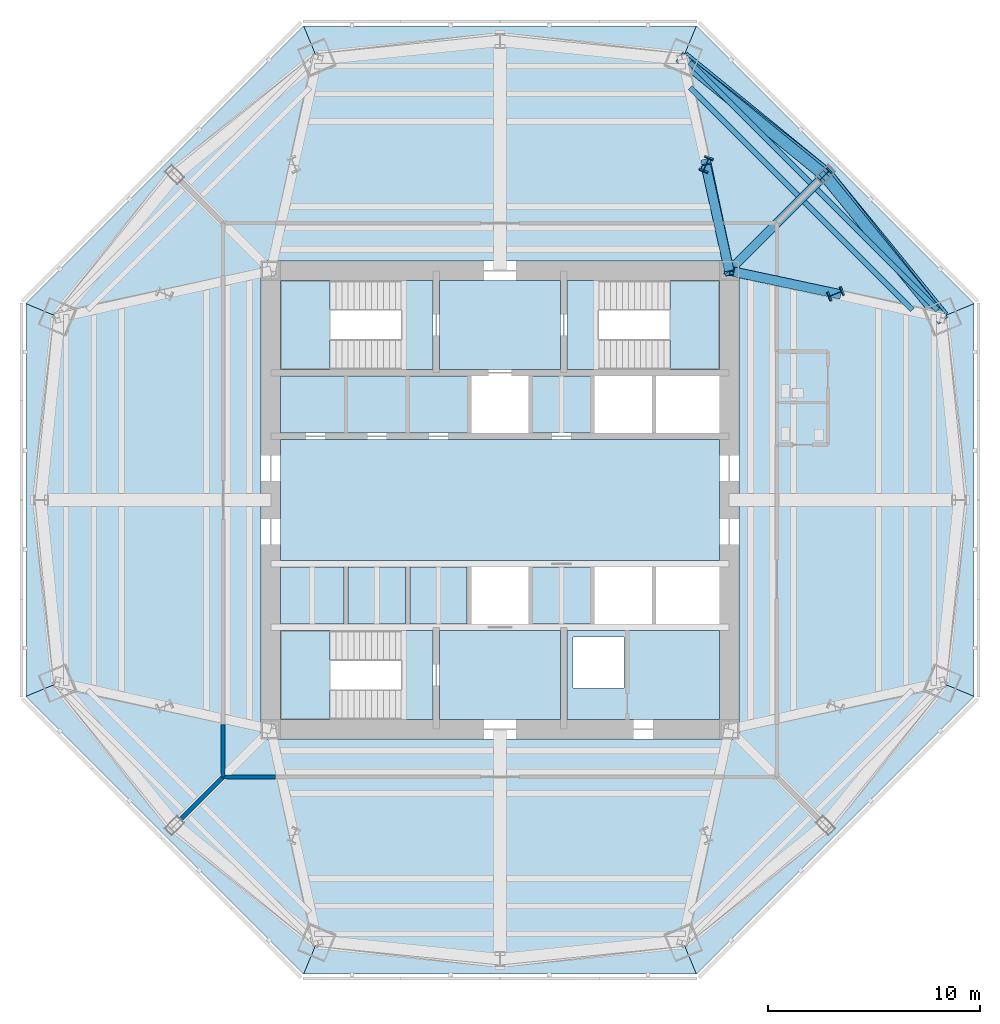
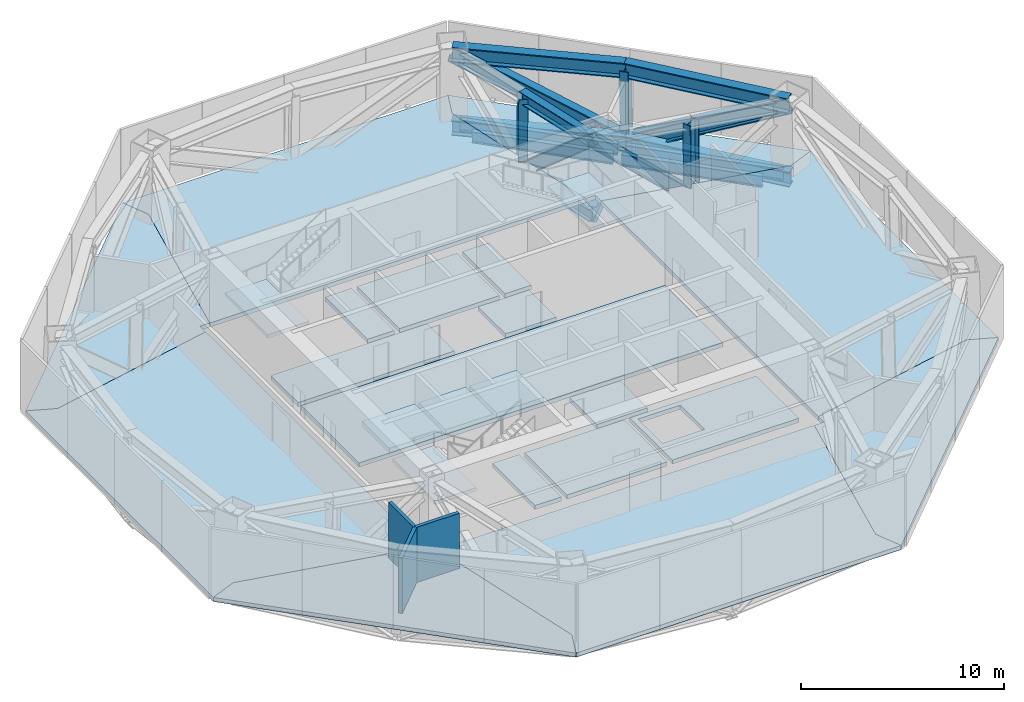
# One storey, part 4 of 10: 24 slabs, 13 members, 5 beams, 3 walls, 3 elements without a shape of their own.
"""IFC4 building model written with IfcOpenShell, lengths in metres."""

import ifcopenshell
import ifcopenshell.guid

model = None  # the IFC model being written
_history = None  # IfcOwnerHistory: only IFC2X3 demands one
_inside = {}  # id of a spatial element -> (the spatial element, [elements in it])
_under = {}  # id of a project, library or spatial element -> (it, [spatial elements below it])
_declared = {}  # id of a project -> (the project, [libraries it declares])
_typed = {}  # id of a type object -> (the type object, [elements of that type])
_made_of = {}  # id of a material, layer set ... -> (it, [elements and type objects made of it])


def new_model(schema):
    """Start an empty IFC model of exactly this schema.

    Asked for "IFC4X3", IfcOpenShell would pick the latest addendum, in which some entities
    have other attributes; the version numbers below select the first issue.
    IFC2X3 requires an IfcOwnerHistory on every rooted entity: one is made here for all.
    """
    global model, _history
    if schema == "IFC4X3":
        model = ifcopenshell.file(schema_version=(4, 3, 0, 0))
    else:
        model = ifcopenshell.file(schema=schema)
    _inside.clear()
    _under.clear()
    _declared.clear()
    _typed.clear()
    _made_of.clear()
    _history = None
    if model.schema == "IFC2X3":
        org = make("IfcOrganization", Name="unknown")
        user = make(
            "IfcPersonAndOrganization",
            ThePerson=make("IfcPerson", FamilyName="unknown"),
            TheOrganization=org,
        )
        app = make(
            "IfcApplication",
            ApplicationDeveloper=org,
            Version="unknown",
            ApplicationFullName="unknown",
            ApplicationIdentifier="unknown",
        )
        _history = make(
            "IfcOwnerHistory",
            OwningUser=user,
            OwningApplication=app,
            ChangeAction="ADDED",
            CreationDate=0,
        )
    return model


def make(cls, **values):
    """One entity of the class cls with the attributes given. An attribute that is None is left unset."""
    return model.create_entity(
        cls, **{name: value for name, value in values.items() if value is not None}
    )


def rooted(cls, **values):
    """An entity with a GlobalId (a new one), such as an element, a storey or a relation."""
    return make(cls, GlobalId=ifcopenshell.guid.new(), OwnerHistory=_history, **values)


def si_unit(unit_type, name, prefix=None):
    """IfcSIUnit, for example si_unit("LENGTHUNIT", "METRE", prefix="MILLI")."""
    return make("IfcSIUnit", UnitType=unit_type, Prefix=prefix, Name=name)


def assignment(units):
    """IfcUnitAssignment: the units of a project."""
    return None if units is None else make("IfcUnitAssignment", Units=units)


def point(xyz):
    """IfcCartesianPoint."""
    return None if xyz is None else make("IfcCartesianPoint", Coordinates=xyz)


def direction(xyz):
    """IfcDirection."""
    return None if xyz is None else make("IfcDirection", DirectionRatios=xyz)


def frame(location, z_axis=None, x_axis=None):
    """IfcAxis2Placement3D, a coordinate frame: its origin and axes. An axis left out is left unset."""
    return make(
        "IfcAxis2Placement3D",
        Location=point(location),
        Axis=direction(z_axis),
        RefDirection=direction(x_axis),
    )


def frame_2d(location, x_axis=None):
    """IfcAxis2Placement2D, a coordinate frame in the plane: its origin and x axis."""
    return make(
        "IfcAxis2Placement2D", Location=point(location), RefDirection=direction(x_axis)
    )


def origin():
    """The frame at (0, 0, 0) with its axes left unset."""
    return frame((0.0, 0.0, 0.0))


def origin_2d():
    """The frame at (0, 0) in the plane with its x axis left unset."""
    return frame_2d((0.0, 0.0))


def place(relative_to, where):
    """IfcLocalPlacement: puts the frame where relative to a parent placement (None: the world)."""
    return make(
        "IfcLocalPlacement", PlacementRelTo=relative_to, RelativePlacement=where
    )


def context(
    kind, dimensions, precision=None, world=None, true_north=None, identifier=None
):
    """IfcGeometricRepresentationContext, for example the 3D "Model" context."""
    return make(
        "IfcGeometricRepresentationContext",
        ContextIdentifier=identifier,
        ContextType=kind,
        CoordinateSpaceDimension=dimensions,
        Precision=precision,
        WorldCoordinateSystem=world,
        TrueNorth=true_north,
    )


def subcontext(parent, identifier, kind, view, scale=None):
    """IfcGeometricRepresentationSubContext, for example "Body" below "Model"."""
    return make(
        "IfcGeometricRepresentationSubContext",
        ContextIdentifier=identifier,
        ContextType=kind,
        ParentContext=parent,
        TargetScale=scale,
        TargetView=view,
    )


def project(units=None, contexts=None):
    """IfcProject with its units and contexts."""
    return rooted(
        "IfcProject",
        Name="project",
        RepresentationContexts=contexts,
        UnitsInContext=assignment(units),
    )


def spatial(cls, under=None, at=None, **own):
    """A site, building, storey or space (cls), placed at a placement, below another one or the project."""
    s = rooted(cls, ObjectPlacement=at, **own)
    if under is not None:
        _under.setdefault(under.id(), (under, []))[1].append(s)
    return s


def polyline(points):
    """IfcPolyline through the points."""
    return make("IfcPolyline", Points=[point(p) for p in points])


def profile(cls, at=None, kind="AREA", **sizes):
    """A parametric profile (cls). Its sizes go by their IFC names, for example OverallWidth=200.0."""
    return make(cls, ProfileType=kind, Position=at, **sizes)


def rectangle(**sizes):
    """IfcRectangleProfileDef."""
    return profile("IfcRectangleProfileDef", **sizes)


def i_section(**sizes):
    """IfcIShapeProfileDef."""
    return profile("IfcIShapeProfileDef", **sizes)


def outline(outer, holes=None, kind="AREA"):
    """IfcArbitraryClosedProfileDef: a profile drawn as a closed curve; with holes, ...WithVoids."""
    if holes is None:
        return make("IfcArbitraryClosedProfileDef", ProfileType=kind, OuterCurve=outer)
    return make(
        "IfcArbitraryProfileDefWithVoids",
        ProfileType=kind,
        OuterCurve=outer,
        InnerCurves=holes,
    )


def extrude(swept, where, along, depth):
    """IfcExtrudedAreaSolid: the profile swept, set in the frame where, extruded along a direction by depth."""
    return make(
        "IfcExtrudedAreaSolid",
        SweptArea=swept,
        Position=where,
        ExtrudedDirection=direction(along),
        Depth=depth,
    )


def shape(context_of_items, identifier, shape_type, items):
    """IfcShapeRepresentation: the items that make up one representation, for example the "Body"."""
    return make(
        "IfcShapeRepresentation",
        ContextOfItems=context_of_items,
        RepresentationIdentifier=identifier,
        RepresentationType=shape_type,
        Items=items,
    )


def source(mapping_origin, context_of_items, identifier, shape_type, items):
    """IfcRepresentationMap: a shape defined once, which mapped items show again and again."""
    return make(
        "IfcRepresentationMap",
        MappingOrigin=mapping_origin,
        MappedRepresentation=shape(context_of_items, identifier, shape_type, items),
    )


def transform(
    local_origin,
    x_axis=None,
    y_axis=None,
    z_axis=None,
    scale=None,
    scale2=None,
    scale3=None,
    uniform=True,
):
    """IfcCartesianTransformationOperator3D, or its non-uniform kind. x_axis, y_axis, z_axis: its Axis1, 2, 3."""
    if uniform:
        return make(
            "IfcCartesianTransformationOperator3D",
            Axis1=direction(x_axis),
            Axis2=direction(y_axis),
            LocalOrigin=point(local_origin),
            Scale=scale,
            Axis3=direction(z_axis),
        )
    return make(
        "IfcCartesianTransformationOperator3DnonUniform",
        Axis1=direction(x_axis),
        Axis2=direction(y_axis),
        LocalOrigin=point(local_origin),
        Scale=scale,
        Axis3=direction(z_axis),
        Scale2=scale2,
        Scale3=scale3,
    )


def mapped(mapping_source, mapping_target):
    """IfcMappedItem: shows the shape of a source again, moved by a transform."""
    return make(
        "IfcMappedItem", MappingSource=mapping_source, MappingTarget=mapping_target
    )


def material(Name=None, Category=None):
    """IfcMaterial."""
    return make("IfcMaterial", Name=Name, Category=Category)


def layer(
    of_material, thickness, ventilated=None, Name=None, Category=None, Priority=None
):
    """IfcMaterialLayer: one layer of a wall or slab, of a material (None: an air gap)."""
    return make(
        "IfcMaterialLayer",
        Material=of_material,
        LayerThickness=thickness,
        IsVentilated=ventilated,
        Name=Name,
        Category=Category,
        Priority=Priority,
    )


def layer_set(layers, Name=None):
    """IfcMaterialLayerSet."""
    return make("IfcMaterialLayerSet", MaterialLayers=layers, LayerSetName=Name)


def material_profile(
    of_material, cross_section, Name=None, Category=None, Priority=None
):
    """IfcMaterialProfile: a cross section and its material."""
    return make(
        "IfcMaterialProfile",
        Name=Name,
        Material=of_material,
        Profile=cross_section,
        Priority=Priority,
        Category=Category,
    )


def profile_set(profiles, Name=None, composite=None):
    """IfcMaterialProfileSet."""
    return make(
        "IfcMaterialProfileSet",
        Name=Name,
        MaterialProfiles=profiles,
        CompositeProfile=composite,
    )


def made_of(thing, what):
    """Note that an element or type object is made of a material, layer set ...; save() writes the relation."""
    if what is not None:
        _made_of.setdefault(what.id(), (what, []))[1].append(thing)
    return thing


def type_object(cls, material=None, **own):
    """A type object (cls), such as IfcWallType, which elements share."""
    return made_of(rooted(cls, **own), material)


def type_shapes(of_type, sources):
    """Give a type object the sources (RepresentationMaps) that its elements show as mapped items."""
    of_type.RepresentationMaps = sources


def element(
    cls,
    number,
    at=None,
    inside=None,
    cuts=None,
    type_object=None,
    material=None,
    context=None,
    identifier="Body",
    shape_type=None,
    held_by="IfcProductDefinitionShape",
    body=None,
    shapes=None,
    **own,
):
    """One element of the class cls, such as IfcWall. Its Tag is "e" and its number.

    at: its placement. inside: the storey or other place that contains it. cuts: it is an
    opening in that element (IfcRelVoidsElement). A single representation is given by context,
    identifier, shape_type and body (its items); several are given by shapes. held_by: the class
    of the entity that holds the representations. save() writes the other relations.
    """
    e = rooted(cls, Tag="e%d" % number, ObjectPlacement=at, **own)
    if body is not None:
        shapes = [shape(context, identifier, shape_type, body)]
    if shapes is not None:
        e.Representation = make(held_by, Representations=shapes)
    if inside is not None:
        _inside.setdefault(inside.id(), (inside, []))[1].append(e)
    if cuts is not None:
        rooted(
            "IfcRelVoidsElement", RelatingBuildingElement=cuts, RelatedOpeningElement=e
        )
    if type_object is not None:
        _typed.setdefault(type_object.id(), (type_object, []))[1].append(e)
    return made_of(e, material)


def aggregate(whole, parts):
    """IfcRelAggregates: a whole, such as a stair, and the parts it consists of."""
    return rooted("IfcRelAggregates", RelatingObject=whole, RelatedObjects=parts)


def save(model, path):
    """Write the relations noted so far, then the file.

    IfcRelAggregates (storeys below a building ...), IfcRelContainedInSpatialStructure (elements
    in a storey), IfcRelDefinesByType, IfcRelAssociatesMaterial and IfcRelDeclares: one each for
    every whole, place, type object, material and project.
    """
    for whole, parts in _under.values():
        aggregate(whole, parts)
    for where, things in _inside.values():
        rooted(
            "IfcRelContainedInSpatialStructure",
            RelatedElements=things,
            RelatingStructure=where,
        )
    for kind, things in _typed.values():
        rooted("IfcRelDefinesByType", RelatedObjects=things, RelatingType=kind)
    for what, things in _made_of.values():
        rooted("IfcRelAssociatesMaterial", RelatedObjects=things, RelatingMaterial=what)
    for by, libraries in _declared.values():
        rooted("IfcRelDeclares", RelatingContext=by, RelatedDefinitions=libraries)
    model.write(path)


model = new_model("IFC4")

# Units and contexts
model_context = context("Model", 3, precision=1e-05, world=origin(), true_north=direction((0.0, 1.0)))
body_context = subcontext(model_context, "Body", "Model", "MODEL_VIEW")
ifc_project = project(units=[si_unit("LENGTHUNIT", "METRE"), si_unit("AREAUNIT", "SQUARE_METRE"), si_unit("VOLUMEUNIT", "CUBIC_METRE"), si_unit("PLANEANGLEUNIT", "RADIAN"), si_unit("MASSUNIT", "GRAM", prefix="KILO")], contexts=[model_context])

# Site, building, storey
site_placement = place(None, origin())
site = spatial("IfcSite", under=ifc_project, at=site_placement, CompositionType="ELEMENT")
building_placement = place(site_placement, origin())
building = spatial("IfcBuilding", under=site, at=building_placement, Name="Mashrafa Tower", CompositionType="ELEMENT")
storey_placement = place(building_placement, frame((0.0, 0.0, 193.5)))
storey = spatial("IfcBuildingStorey", under=building, at=storey_placement, Name="L44", CompositionType="ELEMENT", Elevation=193.5)

# Beams
ifc_material_1 = material(Name="Steel ASTM A992", Category="steel")
ifc_material_profile_1 = material_profile(ifc_material_1, i_section(OverallWidth=0.256591796875, OverallDepth=0.693359375, WebThickness=0.014404296875, FlangeThickness=0.023681640625, FilletRadius=0.01513671875, at=origin_2d()), Name="W27X114")
ifc_profile_set_1 = profile_set([ifc_material_profile_1], Name="Steel ASTM A992")
beam_type_1 = type_object("IfcBeamType", Name="Beam W27X114", PredefinedType="BEAM", material=ifc_profile_set_1)
for number, where, z_axis, x_axis, name in (
    (1, (8.953125, 20.617919921875, -0.5966796875), (0.707121966394, -0.707091595653, 0.0), (0.707091595653, 0.707121966394, 0.0), "Floor beam L44 041"),
    (2, (14.933837890625, 14.637451171875, -0.5966796875), (0.707091595653, -0.707121966394, 0.0), (0.707121966394, 0.707091595653, 0.0), "Floor beam L44 056"),
):
    element("IfcBeam", number, at=place(storey_placement, frame(where, z_axis=z_axis, x_axis=x_axis)), inside=storey, type_object=beam_type_1, Name=name, PredefinedType="BEAM", context=body_context, shape_type="SweptSolid", body=[
        extrude(i_section(OverallWidth=0.256591796875, OverallDepth=0.693359375, WebThickness=0.014404296875, FlangeThickness=0.023681640625, FilletRadius=0.01513671875, at=origin_2d()), origin(), (0.0, 0.0, 1.0), 8.03857421875),
    ])
ifc_material_2 = material(Name="Steel ASTM A992", Category="steel")
ifc_material_profile_2 = material_profile(ifc_material_2, i_section(OverallWidth=0.25390625, OverallDepth=0.683349609375, WebThickness=0.012451171875, FlangeThickness=0.01904296875, FilletRadius=0.01513671875, at=origin_2d()), Name="W27X94")
ifc_profile_set_2 = profile_set([ifc_material_profile_2], Name="Steel ASTM A992")
beam_type_2 = type_object("IfcBeamType", Name="Beam W27X94", PredefinedType="BEAM", material=ifc_profile_set_2)
for number, where, z_axis, x_axis, name in (
    (3, (8.95166015625, 19.434326171875, -0.591552734375), (0.707123728633, -0.707089833334, 0.0), (0.707089833334, 0.707123728633, 0.0), "Floor beam L44 040"),
    (4, (14.34130859375, 14.044921875, -0.591552734375), (0.707089833334, -0.707123728633, 0.0), (0.707123728633, 0.707089833334, 0.0), "Floor beam L44 054"),
):
    element("IfcBeam", number, at=place(storey_placement, frame(where, z_axis=z_axis, x_axis=x_axis)), inside=storey, type_object=beam_type_2, Name=name, PredefinedType="BEAM", context=body_context, shape_type="SweptSolid", body=[
        extrude(i_section(OverallWidth=0.25390625, OverallDepth=0.683349609375, WebThickness=0.012451171875, FlangeThickness=0.01904296875, FilletRadius=0.01513671875, at=origin_2d()), origin(), (0.0, 0.0, 1.0), 7.202880859375),
    ])
ifc_material_3 = material(Name="Steel ASTM A992", Category="steel")
ifc_material_profile_3 = material_profile(ifc_material_3, i_section(OverallWidth=0.419189453125, OverallDepth=0.927001953125, WebThickness=0.019287109375, FlangeThickness=0.031982421875, FilletRadius=0.020263671875, at=origin_2d()), Name="W36X231")
ifc_profile_set_3 = profile_set([ifc_material_profile_3], Name="Steel ASTM A992")
beam_type_3 = type_object("IfcBeamType", Name="Beam W36X231", PredefinedType="BEAM", material=ifc_profile_set_3)
beam_placement = place(storey_placement, frame((10.800048828125, 10.800048828125, -0.713623046875), z_axis=(0.707106781187, 0.707106781187, 0.0), x_axis=(-0.707106781187, 0.707106781187, 0.0)))
element("IfcBeam", 5, at=beam_placement, inside=storey, type_object=beam_type_3, Name="Radial girder L44 072", PredefinedType="BEAM", context=body_context, shape_type="SweptSolid", body=[
    extrude(i_section(OverallWidth=0.419189453125, OverallDepth=0.927001953125, WebThickness=0.019287109375, FlangeThickness=0.031982421875, FilletRadius=0.020263671875, at=origin_2d()), origin(), (0.0, 0.0, 1.0), 6.474365234375),
])

# Members
ifc_material_4 = material(Name="Steel ASTM A572 Gr 50", Category="steel")
ifc_material_profile_4 = material_profile(ifc_material_4, i_section(OverallWidth=0.449951171875, OverallDepth=0.699951171875, WebThickness=0.028076171875, FlangeThickness=0.044921875, at=origin_2d()), Name="H700X450X28X45")
ifc_profile_set_4 = profile_set([ifc_material_profile_4], Name="Steel ASTM A572 Gr 50")
member_type_1 = type_object("IfcMemberType", Name="Outrigger post H700X450X28X45", PredefinedType="POST", material=ifc_profile_set_4)
shared_shape_1 = source(origin(), body_context, "Body", "SweptSolid", [
    extrude(i_section(OverallWidth=0.449951171875, OverallDepth=0.699951171875, WebThickness=0.028076171875, FlangeThickness=0.044921875, at=origin_2d()), origin(), (0.0, 0.0, 1.0), 4.50048828125),
])
type_shapes(member_type_1, [shared_shape_1])
for number, where, z_axis, x_axis, name in (
    (6, (15.84130859375, 9.724853515625, -0.699951171875), (-0.014158493841, -0.005858687107, 0.999882599527), (0.382351792726, -0.924016832422, 0.0), "Outrigger post MC1 L44"),
    (7, (9.724853515625, 15.84130859375, -0.699951171875), (-0.005858687107, -0.014158493841, 0.999882599527), (0.924016832422, -0.382351792726, 0.0), "Outrigger post MC2 L44"),
):
    element("IfcMember", number, at=place(storey_placement, frame(where, z_axis=z_axis, x_axis=x_axis)), inside=storey, type_object=member_type_1, Name=name, PredefinedType="POST", context=body_context, shape_type="MappedRepresentation", body=[
        mapped(shared_shape_1, transform((0.0, 0.0, 0.0))),
    ])
ifc_material_5 = material(Name="Steel ASTM A572 Gr 50", Category="steel")
ifc_material_profile_5 = material_profile(ifc_material_5, i_section(OverallWidth=0.550048828125, OverallDepth=0.89990234375, WebThickness=0.034912109375, FlangeThickness=0.06005859375, at=origin_2d()), Name="H900X550X35X60")
ifc_profile_set_5 = profile_set([ifc_material_profile_5], Name="Steel ASTM A572 Gr 50")
member_type_2 = type_object("IfcMemberType", Name="Belt truss chord H900X550X35X60", PredefinedType="CHORD", material=ifc_profile_set_5)
shared_shape_2 = source(origin(), body_context, "Body", "SweptSolid", [
    extrude(i_section(OverallWidth=0.550048828125, OverallDepth=0.89990234375, WebThickness=0.034912109375, FlangeThickness=0.06005859375, at=origin_2d()), origin(), (0.0, 0.0, 1.0), 8.6943359375),
])
for number, where, z_axis, x_axis, name in (
    (8, (20.882568359375, 8.64990234375, -0.699951171875), (-0.632067271702, 0.774913520364, 0.0), (-0.774913520364, -0.632067271702, 0.0), "Belt truss bottom chord north-east face L44 right"),
    (9, (8.64990234375, 20.882568359375, -0.699951171875), (0.774913520364, -0.632067271702, 0.0), (0.632067271702, 0.774913520364, 0.0), "Belt truss bottom chord north-east face L44 left"),
):
    element("IfcMember", number, at=place(storey_placement, frame(where, z_axis=z_axis, x_axis=x_axis)), inside=storey, type_object=member_type_2, Name=name, PredefinedType="CHORD", context=body_context, shape_type="MappedRepresentation", body=[
        mapped(shared_shape_2, transform((0.0, 0.0, 0.0))),
    ])
ifc_material_6 = material(Name="Steel ASTM A572 Gr 50", Category="steel")
ifc_material_profile_6 = material_profile(ifc_material_6, i_section(OverallWidth=0.449951171875, OverallDepth=0.699951171875, WebThickness=0.028076171875, FlangeThickness=0.044921875, at=origin_2d()), Name="H700X450X28X45")
ifc_profile_set_6 = profile_set([ifc_material_profile_6], Name="Steel ASTM A572 Gr 50")
member_type_3 = type_object("IfcMemberType", Name="Belt truss post H700X450X28X45", PredefinedType="POST", material=ifc_profile_set_6)
shared_shape_3 = source(origin(), body_context, "Body", "SweptSolid", [
    extrude(i_section(OverallWidth=0.449951171875, OverallDepth=0.699951171875, WebThickness=0.028076171875, FlangeThickness=0.044921875, at=origin_2d()), origin(), (0.0, 0.0, 1.0), 4.501708984375),
])
type_shapes(member_type_3, [shared_shape_3])
member_1_placement = place(storey_placement, frame((15.38720703125, 15.38720703125, -0.699951171875), z_axis=(-0.02001151261, -0.02001151261, 0.999599459147), x_axis=(0.707106781187, -0.707106781187, 0.0)))
element("IfcMember", 10, at=member_1_placement, inside=storey, type_object=member_type_3, Name="Belt truss post north-east face L44", PredefinedType="POST", context=body_context, shape_type="MappedRepresentation", body=[
    mapped(shared_shape_3, transform((0.0, 0.0, 0.0))),
])
shared_shape_4 = source(origin(), body_context, "Body", "SweptSolid", [
    extrude(i_section(OverallWidth=0.550048828125, OverallDepth=0.89990234375, WebThickness=0.034912109375, FlangeThickness=0.06005859375, at=origin_2d()), origin(), (0.0, 0.0, 1.0), 8.6416015625),
])
type_shapes(member_type_2, [shared_shape_2, shared_shape_4])
for number, where, z_axis, x_axis, name in (
    (11, (20.755126953125, 8.59716796875, 3.800048828125), (-0.63158868228, 0.77530364143, 0.0), (-0.77530364143, -0.63158868228, 0.0), "Belt truss top chord north-east face L44 right"),
    (12, (8.59716796875, 20.755126953125, 3.800048828125), (0.77530364143, -0.63158868228, 0.0), (0.63158868228, 0.77530364143, 0.0), "Belt truss top chord north-east face L44 left"),
):
    element("IfcMember", number, at=place(storey_placement, frame(where, z_axis=z_axis, x_axis=x_axis)), inside=storey, type_object=member_type_2, Name=name, PredefinedType="CHORD", context=body_context, shape_type="MappedRepresentation", body=[
        mapped(shared_shape_4, transform((0.0, 0.0, 0.0))),
    ])
ifc_material_7 = material(Name="Steel ASTM A572 Gr 50", Category="steel")
ifc_material_profile_7 = material_profile(ifc_material_7, i_section(OverallWidth=0.550048828125, OverallDepth=0.89990234375, WebThickness=0.034912109375, FlangeThickness=0.06005859375, at=origin_2d()), Name="H900X550X35X60")
ifc_profile_set_7 = profile_set([ifc_material_profile_7], Name="Steel ASTM A572 Gr 50")
member_type_4 = type_object("IfcMemberType", Name="Belt truss diagonal H900X550X35X60", PredefinedType="BRACE", material=ifc_profile_set_7)
shared_shape_5 = source(origin(), body_context, "Body", "SweptSolid", [
    extrude(i_section(OverallWidth=0.550048828125, OverallDepth=0.89990234375, WebThickness=0.034912109375, FlangeThickness=0.06005859375, at=origin_2d()), origin(), (0.0, 0.0, 1.0), 9.75537109375),
])
type_shapes(member_type_4, [shared_shape_5])
for number, where, z_axis, x_axis, name in (
    (13, (15.38720703125, 15.38720703125, -0.699951171875), (0.550247187114, -0.696023776232, 0.46127967221), (0.78446888465, 0.62016817801, 0.0), "Belt truss diagonal north-east face L44 right"),
    (14, (15.38720703125, 15.38720703125, -0.699951171875), (-0.696023776232, 0.550247187114, 0.46127967221), (-0.62016817801, -0.78446888465, 0.0), "Belt truss diagonal north-east face L44 left"),
):
    element("IfcMember", number, at=place(storey_placement, frame(where, z_axis=z_axis, x_axis=x_axis)), inside=storey, type_object=member_type_4, Name=name, PredefinedType="BRACE", context=body_context, shape_type="MappedRepresentation", body=[
        mapped(shared_shape_5, transform((0.0, 0.0, 0.0))),
    ])
ifc_material_8 = material(Name="Steel ASTM A572 Gr 50", Category="steel")
ifc_material_profile_8 = material_profile(ifc_material_8, i_section(OverallWidth=0.449951171875, OverallDepth=0.699951171875, WebThickness=0.028076171875, FlangeThickness=0.044921875, at=origin_2d()), Name="H700X450X28X45")
ifc_profile_set_8 = profile_set([ifc_material_profile_8], Name="Steel ASTM A572 Gr 50")
member_type_5 = type_object("IfcMemberType", Name="Outrigger chord H700X450X28X45", PredefinedType="CHORD", material=ifc_profile_set_8)
shared_shape_6 = source(origin(), body_context, "Body", "SweptSolid", [
    extrude(i_section(OverallWidth=0.449951171875, OverallDepth=0.699951171875, WebThickness=0.028076171875, FlangeThickness=0.044921875, at=origin_2d()), origin(), (0.0, 0.0, 1.0), 5.154541015625),
])
member_2_placement = place(storey_placement, frame((10.800048828125, 10.800048828125, -0.699951171875), z_axis=(-0.208587733784, 0.978003659152, 0.0), x_axis=(-0.978003659152, -0.208587733784, 0.0)))
element("IfcMember", 15, at=member_2_placement, inside=storey, type_object=member_type_5, Name="Outrigger bottom chord MC2 L44 core end", PredefinedType="CHORD", context=body_context, shape_type="MappedRepresentation", body=[
    mapped(shared_shape_6, transform((0.0, 0.0, 0.0))),
])
shared_shape_7 = source(origin(), body_context, "Body", "SweptSolid", [
    extrude(i_section(OverallWidth=0.449951171875, OverallDepth=0.699951171875, WebThickness=0.028076171875, FlangeThickness=0.044921875, at=origin_2d()), origin(), (0.0, 0.0, 1.0), 5.097900390625),
])
type_shapes(member_type_5, [shared_shape_6, shared_shape_7])
member_3_placement = place(storey_placement, frame((10.800048828125, 10.800048828125, 3.800048828125), z_axis=(-0.216078501278, 0.976375993808, 0.0), x_axis=(-0.976375993808, -0.216078501278, 0.0)))
element("IfcMember", 16, at=member_3_placement, inside=storey, type_object=member_type_5, Name="Outrigger top chord MC2 L44 core end", PredefinedType="CHORD", context=body_context, shape_type="MappedRepresentation", body=[
    mapped(shared_shape_7, transform((0.0, 0.0, 0.0))),
])
ifc_material_9 = material(Name="Steel ASTM A572 Gr 50", Category="steel")
ifc_material_profile_9 = material_profile(ifc_material_9, i_section(OverallWidth=0.449951171875, OverallDepth=0.699951171875, WebThickness=0.028076171875, FlangeThickness=0.044921875, at=origin_2d()), Name="H700X450X28X45")
ifc_profile_set_9 = profile_set([ifc_material_profile_9], Name="Steel ASTM A572 Gr 50")
member_type_6 = type_object("IfcMemberType", Name="Outrigger diagonal H700X450X28X45", PredefinedType="BRACE", material=ifc_profile_set_9)
shared_shape_8 = source(origin(), body_context, "Body", "SweptSolid", [
    extrude(i_section(OverallWidth=0.449951171875, OverallDepth=0.699951171875, WebThickness=0.028076171875, FlangeThickness=0.044921875, at=origin_2d()), origin(), (0.0, 0.0, 1.0), 6.842529296875),
])
type_shapes(member_type_6, [shared_shape_8])
for number, where, z_axis, x_axis, name in (
    (17, (15.84130859375, 9.724853515625, -0.699951171875), (-0.736752760266, 0.157133960783, 0.65765058246), (-0.208587733784, -0.978003659152, 0.0), "Outrigger diagonal MC1 L44 core end"),
    (18, (9.724853515625, 15.84130859375, -0.699951171875), (0.157133960783, -0.736752760266, 0.65765058246), (0.978003659152, 0.208587733784, 0.0), "Outrigger diagonal MC2 L44 core end"),
):
    element("IfcMember", number, at=place(storey_placement, frame(where, z_axis=z_axis, x_axis=x_axis)), inside=storey, type_object=member_type_6, Name=name, PredefinedType="BRACE", context=body_context, shape_type="MappedRepresentation", body=[
        mapped(shared_shape_8, transform((0.0, 0.0, 0.0))),
    ])

# Slabs
ifc_material_10 = material(Name="Concrete C35/45", Category="concrete")
ifc_layer_1 = layer(ifc_material_10, 0.25)
ifc_layer_set_1 = layer_set([ifc_layer_1], Name="Floor slab 250")
slab_type_1 = type_object("IfcSlabType", Name="Floor slab 250", PredefinedType="FLOOR", material=ifc_layer_set_1)
slab_1_placement = place(storey_placement, frame((0.0, 0.0, -0.25)))
element("IfcSlab", 19, at=slab_1_placement, inside=storey, type_object=slab_type_1, Name="Floor slab L44 east bay", PredefinedType="FLOOR", context=body_context, shape_type="SweptSolid", body=[
    extrude(outline(polyline([(22.3408203125, -9.25390625), (20.86962890625, -8.64453125), (11.25, -10.70361328125), (11.25, 10.70361328125), (20.86962890625, 8.64453125), (22.3408203125, 9.25390625), (22.3408203125, -9.25390625)])), origin(), (0.0, 0.0, 1.0), 0.25),
])
slab_2_placement = place(storey_placement, frame((0.0, 0.0, -0.25)))
element("IfcSlab", 20, at=slab_2_placement, inside=storey, type_object=slab_type_1, Name="Floor slab L44 north-east bay", PredefinedType="FLOOR", context=body_context, shape_type="SweptSolid", body=[
    extrude(outline(polyline([(9.25390625, 22.3408203125), (22.3408203125, 9.25390625), (22.3408203125, 9.25390625), (20.86962890625, 8.64453125), (11.25, 10.70361328125), (11.25, 11.25), (10.70361328125, 11.25), (8.64453125, 20.86962890625), (9.25390625, 22.3408203125), (9.25390625, 22.3408203125)])), origin(), (0.0, 0.0, 1.0), 0.25),
])
slab_3_placement = place(storey_placement, frame((0.0, 0.0, -0.25)))
element("IfcSlab", 21, at=slab_3_placement, inside=storey, type_object=slab_type_1, Name="Floor slab L44 north bay", PredefinedType="FLOOR", context=body_context, shape_type="SweptSolid", body=[
    extrude(outline(polyline([(9.25390625, 22.3408203125), (8.64453125, 20.86962890625), (10.70361328125, 11.25), (-10.70361328125, 11.25), (-8.64453125, 20.86962890625), (-9.25390625, 22.3408203125), (9.25390625, 22.3408203125)])), origin(), (0.0, 0.0, 1.0), 0.25),
])
slab_4_placement = place(storey_placement, frame((0.0, 0.0, -0.25)))
element("IfcSlab", 22, at=slab_4_placement, inside=storey, type_object=slab_type_1, Name="Floor slab L44 north-west bay", PredefinedType="FLOOR", context=body_context, shape_type="SweptSolid", body=[
    extrude(outline(polyline([(-22.3408203125, 9.25390625), (-9.25390625, 22.3408203125), (-9.25390625, 22.3408203125), (-8.64453125, 20.86962890625), (-10.70361328125, 11.25), (-11.25, 11.25), (-11.25, 10.70361328125), (-20.86962890625, 8.64453125), (-22.3408203125, 9.25390625), (-22.3408203125, 9.25390625)])), origin(), (0.0, 0.0, 1.0), 0.25),
])
slab_5_placement = place(storey_placement, frame((0.0, 0.0, -0.25)))
element("IfcSlab", 23, at=slab_5_placement, inside=storey, type_object=slab_type_1, Name="Floor slab L44 west bay", PredefinedType="FLOOR", context=body_context, shape_type="SweptSolid", body=[
    extrude(outline(polyline([(-22.3408203125, 9.25390625), (-20.86962890625, 8.64453125), (-11.25, 10.70361328125), (-11.25, -10.70361328125), (-20.86962890625, -8.64453125), (-22.3408203125, -9.25390625), (-22.3408203125, 9.25390625)])), origin(), (0.0, 0.0, 1.0), 0.25),
])
slab_6_placement = place(storey_placement, frame((0.0, 0.0, -0.25)))
element("IfcSlab", 24, at=slab_6_placement, inside=storey, type_object=slab_type_1, Name="Floor slab L44 south-west bay", PredefinedType="FLOOR", context=body_context, shape_type="SweptSolid", body=[
    extrude(outline(polyline([(-9.25390625, -22.3408203125), (-22.3408203125, -9.25390625), (-22.3408203125, -9.25390625), (-20.86962890625, -8.64453125), (-11.25, -10.70361328125), (-11.25, -11.25), (-10.70361328125, -11.25), (-8.64453125, -20.86962890625), (-9.25390625, -22.3408203125), (-9.25390625, -22.3408203125)])), origin(), (0.0, 0.0, 1.0), 0.25),
])
slab_7_placement = place(storey_placement, frame((0.0, 0.0, -0.25)))
element("IfcSlab", 25, at=slab_7_placement, inside=storey, type_object=slab_type_1, Name="Floor slab L44 south bay", PredefinedType="FLOOR", context=body_context, shape_type="SweptSolid", body=[
    extrude(outline(polyline([(-9.25390625, -22.3408203125), (-8.64453125, -20.86962890625), (-10.70361328125, -11.25), (10.70361328125, -11.25), (8.64453125, -20.86962890625), (9.25390625, -22.3408203125), (-9.25390625, -22.3408203125)])), origin(), (0.0, 0.0, 1.0), 0.25),
])
slab_8_placement = place(storey_placement, frame((0.0, 0.0, -0.25)))
element("IfcSlab", 26, at=slab_8_placement, inside=storey, type_object=slab_type_1, Name="Floor slab L44 south-east bay", PredefinedType="FLOOR", context=body_context, shape_type="SweptSolid", body=[
    extrude(outline(polyline([(9.25390625, -22.3408203125), (8.64453125, -20.86962890625), (10.70361328125, -11.25), (11.25, -11.25), (11.25, -10.70361328125), (20.86962890625, -8.64453125), (22.3408203125, -9.25390625), (22.3408203125, -9.25390625), (9.25390625, -22.3408203125), (9.25390625, -22.3408203125)])), origin(), (0.0, 0.0, 1.0), 0.25),
])
slab_9_placement = place(storey_placement, frame((0.0, 0.0, -0.25)))
element("IfcSlab", 27, at=slab_9_placement, inside=storey, type_object=slab_type_1, Name="Core floor lift hall L44", PredefinedType="FLOOR", context=body_context, shape_type="SweptSolid", body=[
    extrude(outline(polyline([(10.35009765625, 2.85009765625), (10.35009765625, -2.85009765625), (-10.35009765625, -2.85009765625), (-10.35009765625, 2.85009765625), (10.35009765625, 2.85009765625)])), origin(), (0.0, 0.0, 1.0), 0.25),
])
slab_10_placement = place(storey_placement, frame((0.0, 0.0, -0.25)))
element("IfcSlab", 28, at=slab_10_placement, inside=storey, type_object=slab_type_1, Name="Core floor riser and electrical band L44", PredefinedType="FLOOR", context=body_context, shape_type="SweptSolid", body=[
    extrude(outline(polyline([(10.35009765625, -6.14990234375), (10.35009765625, -10.35009765625), (3.14990234375, -10.35009765625), (3.14990234375, -6.14990234375), (10.35009765625, -6.14990234375)]), holes=[polyline([(3.449951171875, -8.85009765625), (5.85009765625, -8.85009765625), (5.85009765625, -6.449951171875), (3.449951171875, -6.449951171875), (3.449951171875, -8.85009765625)])]), origin(), (0.0, 0.0, 1.0), 0.25),
])
slab_11_placement = place(storey_placement, frame((0.0, 0.0, -0.25)))
element("IfcSlab", 29, at=slab_11_placement, inside=storey, type_object=slab_type_1, Name="Core floor lift cell L44", PredefinedType="FLOOR", context=body_context, shape_type="SweptSolid", body=[
    extrude(outline(polyline([(-1.449951171875, 5.85009765625), (-1.449951171875, 3.14990234375), (-10.35009765625, 3.14990234375), (-10.35009765625, 5.85009765625), (-1.449951171875, 5.85009765625)])), origin(), (0.0, 0.0, 1.0), 0.25),
])
slab_12_placement = place(storey_placement, frame((0.0, 0.0, -0.25)))
element("IfcSlab", 30, at=slab_12_placement, inside=storey, type_object=slab_type_1, Name="Core floor fire-fighting lobby north L44", PredefinedType="FLOOR", context=body_context, shape_type="SweptSolid", body=[
    extrude(outline(polyline([(-2.85009765625, 10.35009765625), (2.85009765625, 10.35009765625), (2.85009765625, 6.14990234375), (-2.85009765625, 6.14990234375), (-2.85009765625, 10.35009765625)])), origin(), (0.0, 0.0, 1.0), 0.25),
])
slab_13_placement = place(storey_placement, frame((0.0, 0.0, -0.25)))
element("IfcSlab", 31, at=slab_13_placement, inside=storey, type_object=slab_type_1, Name="Core floor fire-fighting lobby south L44", PredefinedType="FLOOR", context=body_context, shape_type="SweptSolid", body=[
    extrude(outline(polyline([(2.85009765625, -6.14990234375), (2.85009765625, -10.35009765625), (-2.85009765625, -10.35009765625), (-2.85009765625, -6.14990234375), (2.85009765625, -6.14990234375)])), origin(), (0.0, 0.0, 1.0), 0.25),
])
slab_14_placement = place(storey_placement, frame((0.0, 0.0, -0.25)))
element("IfcSlab", 32, at=slab_14_placement, inside=storey, type_object=slab_type_1, Name="Core floor lift cell L44", PredefinedType="FLOOR", context=body_context, shape_type="SweptSolid", body=[
    extrude(outline(polyline([(4.35009765625, 5.85009765625), (4.35009765625, 3.14990234375), (1.449951171875, 3.14990234375), (1.449951171875, 5.85009765625), (4.35009765625, 5.85009765625)])), origin(), (0.0, 0.0, 1.0), 0.25),
])
slab_15_placement = place(storey_placement, frame((0.0, 0.0, -0.25)))
element("IfcSlab", 33, at=slab_15_placement, inside=storey, type_object=slab_type_1, Name="Core floor lift cell L44", PredefinedType="FLOOR", context=body_context, shape_type="SweptSolid", body=[
    extrude(outline(polyline([(4.35009765625, -3.14990234375), (4.35009765625, -5.85009765625), (1.449951171875, -5.85009765625), (1.449951171875, -3.14990234375), (4.35009765625, -3.14990234375)])), origin(), (0.0, 0.0, 1.0), 0.25),
])
ifc_material_11 = material(Name="Concrete C32/40", Category="concrete")
ifc_layer_2 = layer(ifc_material_11, 0.300048828125)
ifc_layer_set_2 = layer_set([ifc_layer_2], Name="Lift pit slab 300")
slab_type_2 = type_object("IfcSlabType", Name="Lift pit slab 300", PredefinedType="FLOOR", material=ifc_layer_set_2)
slab_16_placement = place(storey_placement, frame((0.0, 0.0, 2.39990234375)))
element("IfcSlab", 34, at=slab_16_placement, inside=storey, type_object=slab_type_2, Name="Lift pit slab AL1", PredefinedType="FLOOR", context=body_context, shape_type="SweptSolid", body=[
    extrude(outline(polyline([(-10.35009765625, -5.85009765625), (-7.35009765625, -5.85009765625), (-7.35009765625, -3.14990234375), (-10.35009765625, -3.14990234375), (-10.35009765625, -5.85009765625)])), origin(), (0.0, 0.0, 1.0), 0.300048828125),
])
slab_17_placement = place(storey_placement, frame((0.0, 0.0, 2.39990234375)))
element("IfcSlab", 35, at=slab_17_placement, inside=storey, type_object=slab_type_2, Name="Lift pit slab AL2", PredefinedType="FLOOR", context=body_context, shape_type="SweptSolid", body=[
    extrude(outline(polyline([(-7.14990234375, -5.85009765625), (-4.449951171875, -5.85009765625), (-4.449951171875, -3.14990234375), (-7.14990234375, -3.14990234375), (-7.14990234375, -5.85009765625)])), origin(), (0.0, 0.0, 1.0), 0.300048828125),
])
slab_18_placement = place(storey_placement, frame((0.0, 0.0, 2.39990234375)))
element("IfcSlab", 36, at=slab_18_placement, inside=storey, type_object=slab_type_2, Name="Lift pit slab AL3", PredefinedType="FLOOR", context=body_context, shape_type="SweptSolid", body=[
    extrude(outline(polyline([(-4.25, -5.85009765625), (-1.550048828125, -5.85009765625), (-1.550048828125, -3.14990234375), (-4.25, -3.14990234375), (-4.25, -5.85009765625)])), origin(), (0.0, 0.0, 1.0), 0.300048828125),
])

# Stair, slab
ifc_material_12 = material(Name="Exit stair 1400")
stair_type = type_object("IfcStairType", Name="Exit stair 1400", PredefinedType="HALF_TURN_STAIR", material=ifc_material_12)
stair_1_placement = place(storey_placement, origin())
stair_1 = element("IfcStair", 37, at=stair_1_placement, inside=storey, type_object=stair_type, Name="Stair S1 L44", PredefinedType="HALF_TURN_STAIR")
ifc_material_13 = material(Name="Concrete C32/40", Category="concrete")
ifc_layer_3 = layer(ifc_material_13, 0.199951171875)
ifc_layer_set_3 = layer_set([ifc_layer_3], Name="Stair landing 200")
slab_type_3 = type_object("IfcSlabType", Name="Stair landing 200", PredefinedType="LANDING", material=ifc_layer_set_3)
slab_19_placement = place(storey_placement, frame((0.0, 0.0, 2.050048828125)))
slab_19 = element("IfcSlab", 38, at=slab_19_placement, type_object=slab_type_3, Name="S1 landing 2", PredefinedType="LANDING", context=body_context, shape_type="SweptSolid", body=[
    extrude(outline(polyline([(-10.35009765625, 6.14990234375), (-8.0, 6.14990234375), (-8.0, 10.35009765625), (-10.35009765625, 10.35009765625), (-10.35009765625, 6.14990234375)])), origin(), (0.0, 0.0, 1.0), 0.199951171875),
])

stair_2_placement = place(storey_placement, origin())
stair_2 = element("IfcStair", 39, at=stair_2_placement, inside=storey, type_object=stair_type, Name="Stair S2 L44", PredefinedType="HALF_TURN_STAIR")
slab_20_placement = place(storey_placement, frame((0.0, 0.0, 2.050048828125)))
slab_20 = element("IfcSlab", 40, at=slab_20_placement, type_object=slab_type_3, Name="S2 landing 2", PredefinedType="LANDING", context=body_context, shape_type="SweptSolid", body=[
    extrude(outline(polyline([(8.0, 6.14990234375), (10.35009765625, 6.14990234375), (10.35009765625, 10.35009765625), (8.0, 10.35009765625), (8.0, 6.14990234375)])), origin(), (0.0, 0.0, 1.0), 0.199951171875),
])

stair_3_placement = place(storey_placement, origin())
stair_3 = element("IfcStair", 41, at=stair_3_placement, inside=storey, type_object=stair_type, Name="Stair S3 L44", PredefinedType="HALF_TURN_STAIR")
slab_21_placement = place(storey_placement, frame((0.0, 0.0, 2.050048828125)))
slab_21 = element("IfcSlab", 42, at=slab_21_placement, type_object=slab_type_3, Name="S3 landing 2", PredefinedType="LANDING", context=body_context, shape_type="SweptSolid", body=[
    extrude(outline(polyline([(-10.35009765625, -10.35009765625), (-8.0, -10.35009765625), (-8.0, -6.14990234375), (-10.35009765625, -6.14990234375), (-10.35009765625, -10.35009765625)])), origin(), (0.0, 0.0, 1.0), 0.199951171875),
])

# Slab
ifc_material_14 = material(Name="Concrete C32/40", Category="concrete")
ifc_layer_4 = layer(ifc_material_14, 0.25)
ifc_layer_set_4 = layer_set([ifc_layer_4], Name="Stair landing 250")
slab_type_4 = type_object("IfcSlabType", Name="Stair landing 250", PredefinedType="LANDING", material=ifc_layer_set_4)
slab_22_placement = place(storey_placement, frame((0.0, 0.0, -0.25)))
slab_22 = element("IfcSlab", 43, at=slab_22_placement, type_object=slab_type_4, Name="S1 landing 1", PredefinedType="LANDING", context=body_context, shape_type="SweptSolid", body=[
    extrude(outline(polyline([(-4.659912109375, 6.14990234375), (-3.14990234375, 6.14990234375), (-3.14990234375, 10.35009765625), (-4.659912109375, 10.35009765625), (-4.659912109375, 6.14990234375)])), origin(), (0.0, 0.0, 1.0), 0.25),
])

aggregate(stair_1, [slab_22, slab_19])

slab_23_placement = place(storey_placement, frame((0.0, 0.0, -0.25)))
slab_23 = element("IfcSlab", 44, at=slab_23_placement, type_object=slab_type_4, Name="S2 landing 1", PredefinedType="LANDING", context=body_context, shape_type="SweptSolid", body=[
    extrude(outline(polyline([(3.14990234375, 6.14990234375), (4.659912109375, 6.14990234375), (4.659912109375, 10.35009765625), (3.14990234375, 10.35009765625), (3.14990234375, 6.14990234375)])), origin(), (0.0, 0.0, 1.0), 0.25),
])

aggregate(stair_2, [slab_23, slab_20])

slab_24_placement = place(storey_placement, frame((0.0, 0.0, -0.25)))
slab_24 = element("IfcSlab", 45, at=slab_24_placement, type_object=slab_type_4, Name="S3 landing 1", PredefinedType="LANDING", context=body_context, shape_type="SweptSolid", body=[
    extrude(outline(polyline([(-4.659912109375, -10.35009765625), (-3.14990234375, -10.35009765625), (-3.14990234375, -6.14990234375), (-4.659912109375, -6.14990234375), (-4.659912109375, -10.35009765625)])), origin(), (0.0, 0.0, 1.0), 0.25),
])

aggregate(stair_3, [slab_24, slab_21])

# Walls
ifc_material_15 = material(Name="Concrete masonry unit", Category="masonry")
ifc_layer_5 = layer(ifc_material_15, 0.199951171875)
ifc_layer_set_5 = layer_set([ifc_layer_5], Name="Blockwork wall 200 2 hr")
wall_type = type_object("IfcWallType", Name="Blockwork wall 200 2 hr", PredefinedType="PARTITIONING", material=ifc_layer_set_5)
for number, where, z_axis, x_axis, name in (
    (46, (-13.050048828125, -10.580810546875, 0.0), (0.0, 0.0, 1.0), (0.0, -1.0, 0.0), "Blockwork wall L44-009"),
    (47, (-13.050048828125, -13.050048828125, 0.0), (0.0, 0.0, 1.0), (1.0, 0.0, 0.0), "Blockwork wall L44-013"),
):
    element("IfcWall", number, at=place(storey_placement, frame(where, z_axis=z_axis, x_axis=x_axis)), inside=storey, type_object=wall_type, Name=name, PredefinedType="PARTITIONING", context=body_context, shape_type="SweptSolid", body=[
        extrude(rectangle(XDim=2.46923828125, YDim=0.199951171875, at=frame_2d((1.234619140625, 0.0))), origin(), (0.0, 0.0, 1.0), 3.31298828125),
    ])
wall_placement = place(storey_placement, frame((-15.0361328125, -15.0361328125, 0.0), z_axis=(0.0, 0.0, 1.0), x_axis=(0.707106781187, 0.707106781187, 0.0)))
element("IfcWall", 48, at=wall_placement, inside=storey, type_object=wall_type, Name="Blockwork wall L44-024", PredefinedType="PARTITIONING", context=body_context, shape_type="SweptSolid", body=[
    extrude(rectangle(XDim=2.808837890625, YDim=0.199951171875, at=frame_2d((1.404296875, 0.0))), origin(), (0.0, 0.0, 1.0), 3.31298828125),
])

save(model, "model.ifc")
